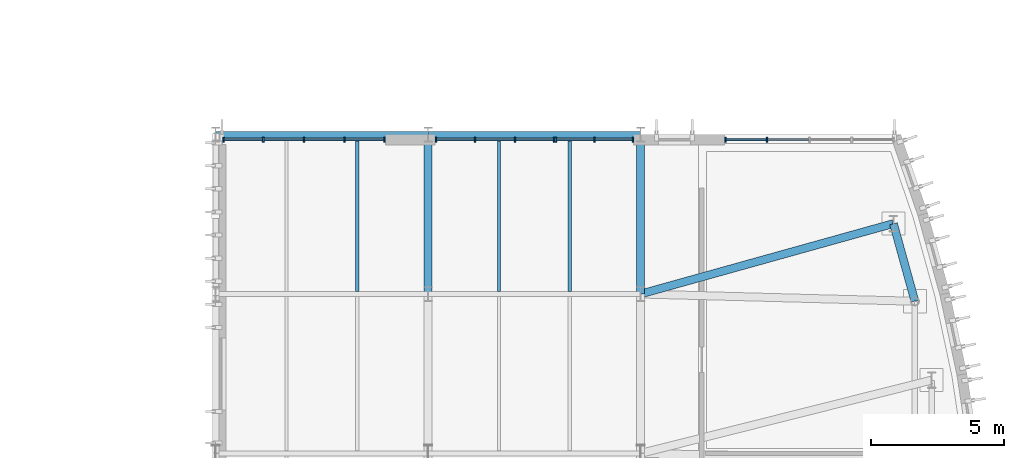
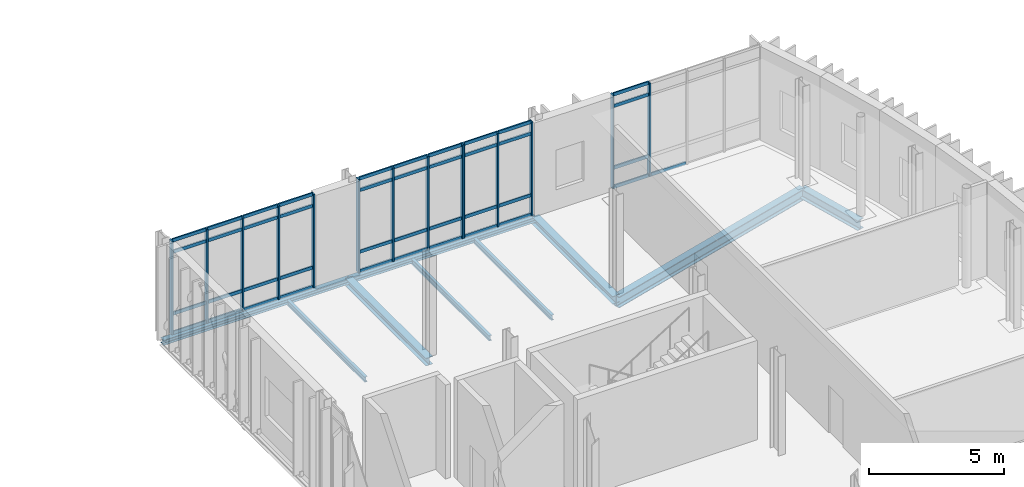
# One storey, part 45 of 100: 55 members, 9 beams, 4 elements without a shape of their own.
"""IFC4 building model written with IfcOpenShell, lengths in metres."""

from ifc_helpers import new_model, si_unit, direction, frame, origin, origin_2d, place, context, subcontext, project, spatial, rectangle, i_section, extrude, material, material_profile, profile_set, type_object, element, aggregate, save


model = new_model("IFC4")

# Units and contexts
model_context = context("Model", 3, precision=1e-05, world=origin(), true_north=direction((0.0, 1.0)))
body_context = subcontext(model_context, "Body", "Model", "MODEL_VIEW")
ifc_project = project(units=[si_unit("LENGTHUNIT", "METRE"), si_unit("AREAUNIT", "SQUARE_METRE"), si_unit("VOLUMEUNIT", "CUBIC_METRE"), si_unit("PLANEANGLEUNIT", "RADIAN"), si_unit("MASSUNIT", "GRAM", prefix="KILO")], contexts=[model_context])

# Site, building, storey
site_placement = place(None, origin())
site = spatial("IfcSite", under=ifc_project, at=site_placement, CompositionType="ELEMENT")
building_placement = place(site_placement, origin())
building = spatial("IfcBuilding", under=site, at=building_placement, Name="Cymarion Research Institute", CompositionType="ELEMENT")
storey_placement = place(building_placement, frame((0.0, 0.0, 4.800048828125)))
storey = spatial("IfcBuildingStorey", under=building, at=storey_placement, Name="L01", CompositionType="ELEMENT", Elevation=4.800048828125)

# Curtain wall, members
ifc_material_1 = material(Name="Anodised aluminium unitised curtain wall with Low-E glazing", Category="aluminium")
curtain_wall_type_1 = type_object("IfcCurtainWallType", Name="UNITISED CURTAIN WALL CW02 6390X4250", PredefinedType="NOTDEFINED", material=ifc_material_1)
curtain_wall_1_placement = place(storey_placement, origin())
curtain_wall_1 = element("IfcCurtainWall", 1, at=curtain_wall_1_placement, inside=storey, type_object=curtain_wall_type_1, Name="L01 V1 unitised curtain wall CW02 #8", PredefinedType="NOTDEFINED")
ifc_material_2 = material(Name="Anodised aluminium framing", Category="aluminium")
ifc_material_profile_1 = material_profile(ifc_material_2, rectangle(XDim=0.06005859375, YDim=0.179931640625, at=origin_2d()), Name="ALU MULLION 60x180")
ifc_profile_set_1 = profile_set([ifc_material_profile_1], Name="Anodised aluminium framing")
member_type_1 = type_object("IfcMemberType", Name="CURTAIN WALL MULLION ML01 60X180", PredefinedType="MULLION", material=ifc_profile_set_1)
member_1_placement = place(storey_placement, frame((159.3564453125, 41.31005859375, 0.0), z_axis=(0.0, 0.0, 1.0), x_axis=(-1.0, 0.0, 0.0)))
member_1 = element("IfcMember", 2, at=member_1_placement, type_object=member_type_1, Name="CW02 mullion 4", PredefinedType="MULLION", context=body_context, shape_type="SweptSolid", body=[
    extrude(rectangle(XDim=0.06005859375, YDim=0.179931640625, at=origin_2d()), origin(), (0.0, 0.0, 1.0), 4.25),
])
member_2_placement = place(storey_placement, frame((157.789794921875, 41.31005859375, 0.0), z_axis=(0.0, 0.0, 1.0), x_axis=(-1.0, 0.0, 0.0)))
member_2 = element("IfcMember", 3, at=member_2_placement, type_object=member_type_1, Name="CW02 mullion 5", PredefinedType="MULLION", context=body_context, shape_type="SweptSolid", body=[
    extrude(rectangle(XDim=0.06005859375, YDim=0.179931640625, at=origin_2d()), origin(), (0.0, 0.0, 1.0), 4.25),
])

curtain_wall_type_2 = type_object("IfcCurtainWallType", Name="UNITISED CURTAIN WALL CW03 2970X4250", PredefinedType="NOTDEFINED", material=ifc_material_1)
curtain_wall_2_placement = place(storey_placement, origin())
curtain_wall_2 = element("IfcCurtainWall", 4, at=curtain_wall_2_placement, inside=storey, type_object=curtain_wall_type_2, Name="L01 V1 unitised curtain wall CW03 #9", PredefinedType="NOTDEFINED")
member_3_placement = place(storey_placement, frame((154.31005859375, 41.31005859375, 0.0), z_axis=(0.0, 0.0, 1.0), x_axis=(-1.0, 0.0, 0.0)))
member_3 = element("IfcMember", 5, at=member_3_placement, type_object=member_type_1, Name="CW03 mullion 1", PredefinedType="MULLION", context=body_context, shape_type="SweptSolid", body=[
    extrude(rectangle(XDim=0.06005859375, YDim=0.179931640625, at=origin_2d()), origin(), (0.0, 0.0, 1.0), 4.25),
])
member_4_placement = place(storey_placement, frame((152.856689453125, 41.31005859375, 0.0), z_axis=(0.0, 0.0, 1.0), x_axis=(-1.0, 0.0, 0.0)))
member_4 = element("IfcMember", 6, at=member_4_placement, type_object=member_type_1, Name="CW03 mullion 2", PredefinedType="MULLION", context=body_context, shape_type="SweptSolid", body=[
    extrude(rectangle(XDim=0.06005859375, YDim=0.179931640625, at=origin_2d()), origin(), (0.0, 0.0, 1.0), 4.25),
])
member_5_placement = place(storey_placement, frame((151.4033203125, 41.31005859375, 0.0), z_axis=(0.0, 0.0, 1.0), x_axis=(-1.0, 0.0, 0.0)))
member_5 = element("IfcMember", 7, at=member_5_placement, type_object=member_type_1, Name="CW03 mullion 3", PredefinedType="MULLION", context=body_context, shape_type="SweptSolid", body=[
    extrude(rectangle(XDim=0.06005859375, YDim=0.179931640625, at=origin_2d()), origin(), (0.0, 0.0, 1.0), 4.25),
])

curtain_wall_type_3 = type_object("IfcCurtainWallType", Name="UNITISED CURTAIN WALL CW04 4510X4250", PredefinedType="NOTDEFINED", material=ifc_material_1)
curtain_wall_3_placement = place(storey_placement, origin())
curtain_wall_3 = element("IfcCurtainWall", 8, at=curtain_wall_3_placement, inside=storey, type_object=curtain_wall_type_3, Name="L01 V1 unitised curtain wall CW04 #10", PredefinedType="NOTDEFINED")
member_6_placement = place(storey_placement, frame((151.34326171875, 41.31005859375, 0.0), z_axis=(0.0, 0.0, 1.0), x_axis=(-1.0, 0.0, 0.0)))
member_6 = element("IfcMember", 9, at=member_6_placement, type_object=member_type_1, Name="CW04 mullion 1", PredefinedType="MULLION", context=body_context, shape_type="SweptSolid", body=[
    extrude(rectangle(XDim=0.06005859375, YDim=0.179931640625, at=origin_2d()), origin(), (0.0, 0.0, 1.0), 4.25),
])
member_7_placement = place(storey_placement, frame((149.868896484375, 41.31005859375, 0.0), z_axis=(0.0, 0.0, 1.0), x_axis=(-1.0, 0.0, 0.0)))
member_7 = element("IfcMember", 10, at=member_7_placement, type_object=member_type_1, Name="CW04 mullion 2", PredefinedType="MULLION", context=body_context, shape_type="SweptSolid", body=[
    extrude(rectangle(XDim=0.06005859375, YDim=0.179931640625, at=origin_2d()), origin(), (0.0, 0.0, 1.0), 4.25),
])
member_8_placement = place(storey_placement, frame((148.364501953125, 41.31005859375, 0.0), z_axis=(0.0, 0.0, 1.0), x_axis=(-1.0, 0.0, 0.0)))
member_8 = element("IfcMember", 11, at=member_8_placement, type_object=member_type_1, Name="CW04 mullion 3", PredefinedType="MULLION", context=body_context, shape_type="SweptSolid", body=[
    extrude(rectangle(XDim=0.06005859375, YDim=0.179931640625, at=origin_2d()), origin(), (0.0, 0.0, 1.0), 4.25),
])
member_9_placement = place(storey_placement, frame((146.889892578125, 41.31005859375, 0.0), z_axis=(0.0, 0.0, 1.0), x_axis=(-1.0, 0.0, 0.0)))
member_9 = element("IfcMember", 12, at=member_9_placement, type_object=member_type_1, Name="CW04 mullion 4", PredefinedType="MULLION", context=body_context, shape_type="SweptSolid", body=[
    extrude(rectangle(XDim=0.06005859375, YDim=0.179931640625, at=origin_2d()), origin(), (0.0, 0.0, 1.0), 4.25),
])

curtain_wall_type_4 = type_object("IfcCurtainWallType", Name="UNITISED CURTAIN WALL CW05 6130X4250", PredefinedType="NOTDEFINED", material=ifc_material_1)
curtain_wall_4_placement = place(storey_placement, origin())
curtain_wall_4 = element("IfcCurtainWall", 13, at=curtain_wall_4_placement, inside=storey, type_object=curtain_wall_type_4, Name="L01 V1 unitised curtain wall CW05 #11", PredefinedType="NOTDEFINED")
member_10_placement = place(storey_placement, frame((144.95654296875, 41.31005859375, 0.0), z_axis=(0.0, 0.0, 1.0), x_axis=(-1.0, 0.0, 0.0)))
member_10 = element("IfcMember", 14, at=member_10_placement, type_object=member_type_1, Name="CW05 mullion 1", PredefinedType="MULLION", context=body_context, shape_type="SweptSolid", body=[
    extrude(rectangle(XDim=0.06005859375, YDim=0.179931640625, at=origin_2d()), origin(), (0.0, 0.0, 1.0), 4.25),
])
member_11_placement = place(storey_placement, frame((143.454833984375, 41.31005859375, 0.0), z_axis=(0.0, 0.0, 1.0), x_axis=(-1.0, 0.0, 0.0)))
member_11 = element("IfcMember", 15, at=member_11_placement, type_object=member_type_1, Name="CW05 mullion 2", PredefinedType="MULLION", context=body_context, shape_type="SweptSolid", body=[
    extrude(rectangle(XDim=0.06005859375, YDim=0.179931640625, at=origin_2d()), origin(), (0.0, 0.0, 1.0), 4.25),
])
member_12_placement = place(storey_placement, frame((141.92333984375, 41.31005859375, 0.0), z_axis=(0.0, 0.0, 1.0), x_axis=(-1.0, 0.0, 0.0)))
member_12 = element("IfcMember", 16, at=member_12_placement, type_object=member_type_1, Name="CW05 mullion 3", PredefinedType="MULLION", context=body_context, shape_type="SweptSolid", body=[
    extrude(rectangle(XDim=0.06005859375, YDim=0.179931640625, at=origin_2d()), origin(), (0.0, 0.0, 1.0), 4.25),
])
member_13_placement = place(storey_placement, frame((140.3916015625, 41.31005859375, 0.0), z_axis=(0.0, 0.0, 1.0), x_axis=(-1.0, 0.0, 0.0)))
member_13 = element("IfcMember", 17, at=member_13_placement, type_object=member_type_1, Name="CW05 mullion 4", PredefinedType="MULLION", context=body_context, shape_type="SweptSolid", body=[
    extrude(rectangle(XDim=0.06005859375, YDim=0.179931640625, at=origin_2d()), origin(), (0.0, 0.0, 1.0), 4.25),
])
member_14_placement = place(storey_placement, frame((138.889892578125, 41.31005859375, 0.0), z_axis=(0.0, 0.0, 1.0), x_axis=(-1.0, 0.0, 0.0)))
member_14 = element("IfcMember", 18, at=member_14_placement, type_object=member_type_1, Name="CW05 mullion 5", PredefinedType="MULLION", context=body_context, shape_type="SweptSolid", body=[
    extrude(rectangle(XDim=0.06005859375, YDim=0.179931640625, at=origin_2d()), origin(), (0.0, 0.0, 1.0), 4.25),
])

# Member
ifc_material_profile_2 = material_profile(ifc_material_2, rectangle(XDim=0.06005859375, YDim=0.14990234375, at=origin_2d()), Name="ALU TRANSOM 60x150")
ifc_profile_set_2 = profile_set([ifc_material_profile_2], Name="Anodised aluminium framing")
member_type_2 = type_object("IfcMemberType", Name="CURTAIN WALL TRANSOM TR01 60X150", PredefinedType="USERDEFINED", material=ifc_profile_set_2)
member_15_placement = place(storey_placement, frame((160.923095703125, 41.31005859375, 0.030029296875), z_axis=(-1.0, 0.0, 0.0), x_axis=(0.0, -1.0, 0.0)))
member_15 = element("IfcMember", 19, at=member_15_placement, type_object=member_type_2, Name="CW02 transom 3.1", ObjectType="TRANSOM", PredefinedType="USERDEFINED", context=body_context, shape_type="SweptSolid", body=[
    extrude(rectangle(XDim=0.06005859375, YDim=0.14990234375, at=origin_2d()), origin(), (0.0, 0.0, 1.0), 1.53662109375),
])

member_16_placement = place(storey_placement, frame((159.326416015625, 41.31005859375, 0.030029296875), z_axis=(-1.0, 0.0, 0.0), x_axis=(0.0, -1.0, 0.0)))
member_16 = element("IfcMember", 20, at=member_16_placement, type_object=member_type_2, Name="CW02 transom 4.1", ObjectType="TRANSOM", PredefinedType="USERDEFINED", context=body_context, shape_type="SweptSolid", body=[
    extrude(rectangle(XDim=0.06005859375, YDim=0.14990234375, at=origin_2d()), origin(), (0.0, 0.0, 1.0), 1.506591796875),
])

member_17_placement = place(storey_placement, frame((159.326416015625, 41.31005859375, 0.89990234375), z_axis=(-1.0, 0.0, 0.0), x_axis=(0.0, -1.0, 0.0)))
member_17 = element("IfcMember", 21, at=member_17_placement, type_object=member_type_2, Name="CW02 transom 4.2", ObjectType="TRANSOM", PredefinedType="USERDEFINED", context=body_context, shape_type="SweptSolid", body=[
    extrude(rectangle(XDim=0.06005859375, YDim=0.14990234375, at=origin_2d()), origin(), (0.0, 0.0, 1.0), 1.506591796875),
])

member_18_placement = place(storey_placement, frame((159.326416015625, 41.31005859375, 3.699951171875), z_axis=(-1.0, 0.0, 0.0), x_axis=(0.0, -1.0, 0.0)))
member_18 = element("IfcMember", 22, at=member_18_placement, type_object=member_type_2, Name="CW02 transom 4.3", ObjectType="TRANSOM", PredefinedType="USERDEFINED", context=body_context, shape_type="SweptSolid", body=[
    extrude(rectangle(XDim=0.06005859375, YDim=0.14990234375, at=origin_2d()), origin(), (0.0, 0.0, 1.0), 1.506591796875),
])

member_19_placement = place(storey_placement, frame((159.326416015625, 41.31005859375, 4.219970703125), z_axis=(-1.0, 0.0, 0.0), x_axis=(0.0, -1.0, 0.0)))
member_19 = element("IfcMember", 23, at=member_19_placement, type_object=member_type_2, Name="CW02 transom 4.4", ObjectType="TRANSOM", PredefinedType="USERDEFINED", context=body_context, shape_type="SweptSolid", body=[
    extrude(rectangle(XDim=0.06005859375, YDim=0.14990234375, at=origin_2d()), origin(), (0.0, 0.0, 1.0), 1.506591796875),
])

aggregate(curtain_wall_1, [member_1, member_2, member_15, member_16, member_17, member_18, member_19])

member_20_placement = place(storey_placement, frame((154.280029296875, 41.31005859375, 0.030029296875), z_axis=(-1.0, 0.0, 0.0), x_axis=(0.0, -1.0, 0.0)))
member_20 = element("IfcMember", 24, at=member_20_placement, type_object=member_type_2, Name="CW03 transom 1.1", ObjectType="TRANSOM", PredefinedType="USERDEFINED", context=body_context, shape_type="SweptSolid", body=[
    extrude(rectangle(XDim=0.06005859375, YDim=0.14990234375, at=origin_2d()), origin(), (0.0, 0.0, 1.0), 1.393310546875),
])

member_21_placement = place(storey_placement, frame((154.280029296875, 41.31005859375, 0.89990234375), z_axis=(-1.0, 0.0, 0.0), x_axis=(0.0, -1.0, 0.0)))
member_21 = element("IfcMember", 25, at=member_21_placement, type_object=member_type_2, Name="CW03 transom 1.2", ObjectType="TRANSOM", PredefinedType="USERDEFINED", context=body_context, shape_type="SweptSolid", body=[
    extrude(rectangle(XDim=0.06005859375, YDim=0.14990234375, at=origin_2d()), origin(), (0.0, 0.0, 1.0), 1.393310546875),
])

member_22_placement = place(storey_placement, frame((154.280029296875, 41.31005859375, 3.699951171875), z_axis=(-1.0, 0.0, 0.0), x_axis=(0.0, -1.0, 0.0)))
member_22 = element("IfcMember", 26, at=member_22_placement, type_object=member_type_2, Name="CW03 transom 1.3", ObjectType="TRANSOM", PredefinedType="USERDEFINED", context=body_context, shape_type="SweptSolid", body=[
    extrude(rectangle(XDim=0.06005859375, YDim=0.14990234375, at=origin_2d()), origin(), (0.0, 0.0, 1.0), 1.393310546875),
])

member_23_placement = place(storey_placement, frame((154.280029296875, 41.31005859375, 4.219970703125), z_axis=(-1.0, 0.0, 0.0), x_axis=(0.0, -1.0, 0.0)))
member_23 = element("IfcMember", 27, at=member_23_placement, type_object=member_type_2, Name="CW03 transom 1.4", ObjectType="TRANSOM", PredefinedType="USERDEFINED", context=body_context, shape_type="SweptSolid", body=[
    extrude(rectangle(XDim=0.06005859375, YDim=0.14990234375, at=origin_2d()), origin(), (0.0, 0.0, 1.0), 1.393310546875),
])

member_24_placement = place(storey_placement, frame((152.82666015625, 41.31005859375, 0.030029296875), z_axis=(-1.0, 0.0, 0.0), x_axis=(0.0, -1.0, 0.0)))
member_24 = element("IfcMember", 28, at=member_24_placement, type_object=member_type_2, Name="CW03 transom 2.1", ObjectType="TRANSOM", PredefinedType="USERDEFINED", context=body_context, shape_type="SweptSolid", body=[
    extrude(rectangle(XDim=0.06005859375, YDim=0.14990234375, at=origin_2d()), origin(), (0.0, 0.0, 1.0), 1.3935546875),
])

member_25_placement = place(storey_placement, frame((152.82666015625, 41.31005859375, 0.89990234375), z_axis=(-1.0, 0.0, 0.0), x_axis=(0.0, -1.0, 0.0)))
member_25 = element("IfcMember", 29, at=member_25_placement, type_object=member_type_2, Name="CW03 transom 2.2", ObjectType="TRANSOM", PredefinedType="USERDEFINED", context=body_context, shape_type="SweptSolid", body=[
    extrude(rectangle(XDim=0.06005859375, YDim=0.14990234375, at=origin_2d()), origin(), (0.0, 0.0, 1.0), 1.3935546875),
])

member_26_placement = place(storey_placement, frame((152.82666015625, 41.31005859375, 3.699951171875), z_axis=(-1.0, 0.0, 0.0), x_axis=(0.0, -1.0, 0.0)))
member_26 = element("IfcMember", 30, at=member_26_placement, type_object=member_type_2, Name="CW03 transom 2.3", ObjectType="TRANSOM", PredefinedType="USERDEFINED", context=body_context, shape_type="SweptSolid", body=[
    extrude(rectangle(XDim=0.06005859375, YDim=0.14990234375, at=origin_2d()), origin(), (0.0, 0.0, 1.0), 1.3935546875),
])

member_27_placement = place(storey_placement, frame((152.82666015625, 41.31005859375, 4.219970703125), z_axis=(-1.0, 0.0, 0.0), x_axis=(0.0, -1.0, 0.0)))
member_27 = element("IfcMember", 31, at=member_27_placement, type_object=member_type_2, Name="CW03 transom 2.4", ObjectType="TRANSOM", PredefinedType="USERDEFINED", context=body_context, shape_type="SweptSolid", body=[
    extrude(rectangle(XDim=0.06005859375, YDim=0.14990234375, at=origin_2d()), origin(), (0.0, 0.0, 1.0), 1.3935546875),
])

aggregate(curtain_wall_2, [member_3, member_4, member_5, member_20, member_21, member_22, member_23, member_24, member_25, member_26, member_27])

member_28_placement = place(storey_placement, frame((151.313232421875, 41.31005859375, 0.030029296875), z_axis=(-1.0, 0.0, 0.0), x_axis=(0.0, -1.0, 0.0)))
member_28 = element("IfcMember", 32, at=member_28_placement, type_object=member_type_2, Name="CW04 transom 1.1", ObjectType="TRANSOM", PredefinedType="USERDEFINED", context=body_context, shape_type="SweptSolid", body=[
    extrude(rectangle(XDim=0.06005859375, YDim=0.14990234375, at=origin_2d()), origin(), (0.0, 0.0, 1.0), 1.41455078125),
])

member_29_placement = place(storey_placement, frame((151.313232421875, 41.31005859375, 0.89990234375), z_axis=(-1.0, 0.0, 0.0), x_axis=(0.0, -1.0, 0.0)))
member_29 = element("IfcMember", 33, at=member_29_placement, type_object=member_type_2, Name="CW04 transom 1.2", ObjectType="TRANSOM", PredefinedType="USERDEFINED", context=body_context, shape_type="SweptSolid", body=[
    extrude(rectangle(XDim=0.06005859375, YDim=0.14990234375, at=origin_2d()), origin(), (0.0, 0.0, 1.0), 1.41455078125),
])

member_30_placement = place(storey_placement, frame((151.313232421875, 41.31005859375, 3.699951171875), z_axis=(-1.0, 0.0, 0.0), x_axis=(0.0, -1.0, 0.0)))
member_30 = element("IfcMember", 34, at=member_30_placement, type_object=member_type_2, Name="CW04 transom 1.3", ObjectType="TRANSOM", PredefinedType="USERDEFINED", context=body_context, shape_type="SweptSolid", body=[
    extrude(rectangle(XDim=0.06005859375, YDim=0.14990234375, at=origin_2d()), origin(), (0.0, 0.0, 1.0), 1.41455078125),
])

member_31_placement = place(storey_placement, frame((151.313232421875, 41.31005859375, 4.219970703125), z_axis=(-1.0, 0.0, 0.0), x_axis=(0.0, -1.0, 0.0)))
member_31 = element("IfcMember", 35, at=member_31_placement, type_object=member_type_2, Name="CW04 transom 1.4", ObjectType="TRANSOM", PredefinedType="USERDEFINED", context=body_context, shape_type="SweptSolid", body=[
    extrude(rectangle(XDim=0.06005859375, YDim=0.14990234375, at=origin_2d()), origin(), (0.0, 0.0, 1.0), 1.41455078125),
])

member_32_placement = place(storey_placement, frame((149.8388671875, 41.31005859375, 0.030029296875), z_axis=(-1.0, 0.0, 0.0), x_axis=(0.0, -1.0, 0.0)))
member_32 = element("IfcMember", 36, at=member_32_placement, type_object=member_type_2, Name="CW04 transom 2.1", ObjectType="TRANSOM", PredefinedType="USERDEFINED", context=body_context, shape_type="SweptSolid", body=[
    extrude(rectangle(XDim=0.06005859375, YDim=0.14990234375, at=origin_2d()), origin(), (0.0, 0.0, 1.0), 1.444580078125),
])

member_33_placement = place(storey_placement, frame((149.8388671875, 41.31005859375, 0.89990234375), z_axis=(-1.0, 0.0, 0.0), x_axis=(0.0, -1.0, 0.0)))
member_33 = element("IfcMember", 37, at=member_33_placement, type_object=member_type_2, Name="CW04 transom 2.2", ObjectType="TRANSOM", PredefinedType="USERDEFINED", context=body_context, shape_type="SweptSolid", body=[
    extrude(rectangle(XDim=0.06005859375, YDim=0.14990234375, at=origin_2d()), origin(), (0.0, 0.0, 1.0), 1.444580078125),
])

member_34_placement = place(storey_placement, frame((149.8388671875, 41.31005859375, 3.699951171875), z_axis=(-1.0, 0.0, 0.0), x_axis=(0.0, -1.0, 0.0)))
member_34 = element("IfcMember", 38, at=member_34_placement, type_object=member_type_2, Name="CW04 transom 2.3", ObjectType="TRANSOM", PredefinedType="USERDEFINED", context=body_context, shape_type="SweptSolid", body=[
    extrude(rectangle(XDim=0.06005859375, YDim=0.14990234375, at=origin_2d()), origin(), (0.0, 0.0, 1.0), 1.444580078125),
])

member_35_placement = place(storey_placement, frame((149.8388671875, 41.31005859375, 4.219970703125), z_axis=(-1.0, 0.0, 0.0), x_axis=(0.0, -1.0, 0.0)))
member_35 = element("IfcMember", 39, at=member_35_placement, type_object=member_type_2, Name="CW04 transom 2.4", ObjectType="TRANSOM", PredefinedType="USERDEFINED", context=body_context, shape_type="SweptSolid", body=[
    extrude(rectangle(XDim=0.06005859375, YDim=0.14990234375, at=origin_2d()), origin(), (0.0, 0.0, 1.0), 1.444580078125),
])

member_36_placement = place(storey_placement, frame((148.33447265625, 41.31005859375, 0.030029296875), z_axis=(-1.0, 0.0, 0.0), x_axis=(0.0, -1.0, 0.0)))
member_36 = element("IfcMember", 40, at=member_36_placement, type_object=member_type_2, Name="CW04 transom 3.1", ObjectType="TRANSOM", PredefinedType="USERDEFINED", context=body_context, shape_type="SweptSolid", body=[
    extrude(rectangle(XDim=0.06005859375, YDim=0.14990234375, at=origin_2d()), origin(), (0.0, 0.0, 1.0), 1.41455078125),
])

member_37_placement = place(storey_placement, frame((148.33447265625, 41.31005859375, 0.89990234375), z_axis=(-1.0, 0.0, 0.0), x_axis=(0.0, -1.0, 0.0)))
member_37 = element("IfcMember", 41, at=member_37_placement, type_object=member_type_2, Name="CW04 transom 3.2", ObjectType="TRANSOM", PredefinedType="USERDEFINED", context=body_context, shape_type="SweptSolid", body=[
    extrude(rectangle(XDim=0.06005859375, YDim=0.14990234375, at=origin_2d()), origin(), (0.0, 0.0, 1.0), 1.41455078125),
])

member_38_placement = place(storey_placement, frame((148.33447265625, 41.31005859375, 3.699951171875), z_axis=(-1.0, 0.0, 0.0), x_axis=(0.0, -1.0, 0.0)))
member_38 = element("IfcMember", 42, at=member_38_placement, type_object=member_type_2, Name="CW04 transom 3.3", ObjectType="TRANSOM", PredefinedType="USERDEFINED", context=body_context, shape_type="SweptSolid", body=[
    extrude(rectangle(XDim=0.06005859375, YDim=0.14990234375, at=origin_2d()), origin(), (0.0, 0.0, 1.0), 1.41455078125),
])

member_39_placement = place(storey_placement, frame((148.33447265625, 41.31005859375, 4.219970703125), z_axis=(-1.0, 0.0, 0.0), x_axis=(0.0, -1.0, 0.0)))
member_39 = element("IfcMember", 43, at=member_39_placement, type_object=member_type_2, Name="CW04 transom 3.4", ObjectType="TRANSOM", PredefinedType="USERDEFINED", context=body_context, shape_type="SweptSolid", body=[
    extrude(rectangle(XDim=0.06005859375, YDim=0.14990234375, at=origin_2d()), origin(), (0.0, 0.0, 1.0), 1.41455078125),
])

aggregate(curtain_wall_3, [member_6, member_7, member_8, member_9, member_28, member_29, member_30, member_31, member_32, member_33, member_34, member_35, member_36, member_37, member_38, member_39])

member_40_placement = place(storey_placement, frame((144.926513671875, 41.31005859375, 0.030029296875), z_axis=(-1.0, 0.0, 0.0), x_axis=(0.0, -1.0, 0.0)))
member_40 = element("IfcMember", 44, at=member_40_placement, type_object=member_type_2, Name="CW05 transom 1.1", ObjectType="TRANSOM", PredefinedType="USERDEFINED", context=body_context, shape_type="SweptSolid", body=[
    extrude(rectangle(XDim=0.06005859375, YDim=0.14990234375, at=origin_2d()), origin(), (0.0, 0.0, 1.0), 1.441650390625),
])

member_41_placement = place(storey_placement, frame((144.926513671875, 41.31005859375, 0.89990234375), z_axis=(-1.0, 0.0, 0.0), x_axis=(0.0, -1.0, 0.0)))
member_41 = element("IfcMember", 45, at=member_41_placement, type_object=member_type_2, Name="CW05 transom 1.2", ObjectType="TRANSOM", PredefinedType="USERDEFINED", context=body_context, shape_type="SweptSolid", body=[
    extrude(rectangle(XDim=0.06005859375, YDim=0.14990234375, at=origin_2d()), origin(), (0.0, 0.0, 1.0), 1.441650390625),
])

member_42_placement = place(storey_placement, frame((144.926513671875, 41.31005859375, 3.699951171875), z_axis=(-1.0, 0.0, 0.0), x_axis=(0.0, -1.0, 0.0)))
member_42 = element("IfcMember", 46, at=member_42_placement, type_object=member_type_2, Name="CW05 transom 1.3", ObjectType="TRANSOM", PredefinedType="USERDEFINED", context=body_context, shape_type="SweptSolid", body=[
    extrude(rectangle(XDim=0.06005859375, YDim=0.14990234375, at=origin_2d()), origin(), (0.0, 0.0, 1.0), 1.441650390625),
])

member_43_placement = place(storey_placement, frame((144.926513671875, 41.31005859375, 4.219970703125), z_axis=(-1.0, 0.0, 0.0), x_axis=(0.0, -1.0, 0.0)))
member_43 = element("IfcMember", 47, at=member_43_placement, type_object=member_type_2, Name="CW05 transom 1.4", ObjectType="TRANSOM", PredefinedType="USERDEFINED", context=body_context, shape_type="SweptSolid", body=[
    extrude(rectangle(XDim=0.06005859375, YDim=0.14990234375, at=origin_2d()), origin(), (0.0, 0.0, 1.0), 1.441650390625),
])

member_44_placement = place(storey_placement, frame((143.425048828125, 41.31005859375, 0.030029296875), z_axis=(-1.0, 0.0, 0.0), x_axis=(0.0, -1.0, 0.0)))
member_44 = element("IfcMember", 48, at=member_44_placement, type_object=member_type_2, Name="CW05 transom 2.1", ObjectType="TRANSOM", PredefinedType="USERDEFINED", context=body_context, shape_type="SweptSolid", body=[
    extrude(rectangle(XDim=0.06005859375, YDim=0.14990234375, at=origin_2d()), origin(), (0.0, 0.0, 1.0), 1.4716796875),
])

member_45_placement = place(storey_placement, frame((143.425048828125, 41.31005859375, 0.89990234375), z_axis=(-1.0, 0.0, 0.0), x_axis=(0.0, -1.0, 0.0)))
member_45 = element("IfcMember", 49, at=member_45_placement, type_object=member_type_2, Name="CW05 transom 2.2", ObjectType="TRANSOM", PredefinedType="USERDEFINED", context=body_context, shape_type="SweptSolid", body=[
    extrude(rectangle(XDim=0.06005859375, YDim=0.14990234375, at=origin_2d()), origin(), (0.0, 0.0, 1.0), 1.4716796875),
])

member_46_placement = place(storey_placement, frame((143.425048828125, 41.31005859375, 3.699951171875), z_axis=(-1.0, 0.0, 0.0), x_axis=(0.0, -1.0, 0.0)))
member_46 = element("IfcMember", 50, at=member_46_placement, type_object=member_type_2, Name="CW05 transom 2.3", ObjectType="TRANSOM", PredefinedType="USERDEFINED", context=body_context, shape_type="SweptSolid", body=[
    extrude(rectangle(XDim=0.06005859375, YDim=0.14990234375, at=origin_2d()), origin(), (0.0, 0.0, 1.0), 1.4716796875),
])

member_47_placement = place(storey_placement, frame((143.425048828125, 41.31005859375, 4.219970703125), z_axis=(-1.0, 0.0, 0.0), x_axis=(0.0, -1.0, 0.0)))
member_47 = element("IfcMember", 51, at=member_47_placement, type_object=member_type_2, Name="CW05 transom 2.4", ObjectType="TRANSOM", PredefinedType="USERDEFINED", context=body_context, shape_type="SweptSolid", body=[
    extrude(rectangle(XDim=0.06005859375, YDim=0.14990234375, at=origin_2d()), origin(), (0.0, 0.0, 1.0), 1.4716796875),
])

member_48_placement = place(storey_placement, frame((141.893310546875, 41.31005859375, 0.030029296875), z_axis=(-1.0, 0.0, 0.0), x_axis=(0.0, -1.0, 0.0)))
member_48 = element("IfcMember", 52, at=member_48_placement, type_object=member_type_2, Name="CW05 transom 3.1", ObjectType="TRANSOM", PredefinedType="USERDEFINED", context=body_context, shape_type="SweptSolid", body=[
    extrude(rectangle(XDim=0.06005859375, YDim=0.14990234375, at=origin_2d()), origin(), (0.0, 0.0, 1.0), 1.4716796875),
])

member_49_placement = place(storey_placement, frame((141.893310546875, 41.31005859375, 0.89990234375), z_axis=(-1.0, 0.0, 0.0), x_axis=(0.0, -1.0, 0.0)))
member_49 = element("IfcMember", 53, at=member_49_placement, type_object=member_type_2, Name="CW05 transom 3.2", ObjectType="TRANSOM", PredefinedType="USERDEFINED", context=body_context, shape_type="SweptSolid", body=[
    extrude(rectangle(XDim=0.06005859375, YDim=0.14990234375, at=origin_2d()), origin(), (0.0, 0.0, 1.0), 1.4716796875),
])

member_50_placement = place(storey_placement, frame((141.893310546875, 41.31005859375, 3.699951171875), z_axis=(-1.0, 0.0, 0.0), x_axis=(0.0, -1.0, 0.0)))
member_50 = element("IfcMember", 54, at=member_50_placement, type_object=member_type_2, Name="CW05 transom 3.3", ObjectType="TRANSOM", PredefinedType="USERDEFINED", context=body_context, shape_type="SweptSolid", body=[
    extrude(rectangle(XDim=0.06005859375, YDim=0.14990234375, at=origin_2d()), origin(), (0.0, 0.0, 1.0), 1.4716796875),
])

member_51_placement = place(storey_placement, frame((141.893310546875, 41.31005859375, 4.219970703125), z_axis=(-1.0, 0.0, 0.0), x_axis=(0.0, -1.0, 0.0)))
member_51 = element("IfcMember", 55, at=member_51_placement, type_object=member_type_2, Name="CW05 transom 3.4", ObjectType="TRANSOM", PredefinedType="USERDEFINED", context=body_context, shape_type="SweptSolid", body=[
    extrude(rectangle(XDim=0.06005859375, YDim=0.14990234375, at=origin_2d()), origin(), (0.0, 0.0, 1.0), 1.4716796875),
])

member_52_placement = place(storey_placement, frame((140.361572265625, 41.31005859375, 0.030029296875), z_axis=(-1.0, 0.0, 0.0), x_axis=(0.0, -1.0, 0.0)))
member_52 = element("IfcMember", 56, at=member_52_placement, type_object=member_type_2, Name="CW05 transom 4.1", ObjectType="TRANSOM", PredefinedType="USERDEFINED", context=body_context, shape_type="SweptSolid", body=[
    extrude(rectangle(XDim=0.06005859375, YDim=0.14990234375, at=origin_2d()), origin(), (0.0, 0.0, 1.0), 1.441650390625),
])

member_53_placement = place(storey_placement, frame((140.361572265625, 41.31005859375, 0.89990234375), z_axis=(-1.0, 0.0, 0.0), x_axis=(0.0, -1.0, 0.0)))
member_53 = element("IfcMember", 57, at=member_53_placement, type_object=member_type_2, Name="CW05 transom 4.2", ObjectType="TRANSOM", PredefinedType="USERDEFINED", context=body_context, shape_type="SweptSolid", body=[
    extrude(rectangle(XDim=0.06005859375, YDim=0.14990234375, at=origin_2d()), origin(), (0.0, 0.0, 1.0), 1.441650390625),
])

member_54_placement = place(storey_placement, frame((140.361572265625, 41.31005859375, 3.699951171875), z_axis=(-1.0, 0.0, 0.0), x_axis=(0.0, -1.0, 0.0)))
member_54 = element("IfcMember", 58, at=member_54_placement, type_object=member_type_2, Name="CW05 transom 4.3", ObjectType="TRANSOM", PredefinedType="USERDEFINED", context=body_context, shape_type="SweptSolid", body=[
    extrude(rectangle(XDim=0.06005859375, YDim=0.14990234375, at=origin_2d()), origin(), (0.0, 0.0, 1.0), 1.441650390625),
])

member_55_placement = place(storey_placement, frame((140.361572265625, 41.31005859375, 4.219970703125), z_axis=(-1.0, 0.0, 0.0), x_axis=(0.0, -1.0, 0.0)))
member_55 = element("IfcMember", 59, at=member_55_placement, type_object=member_type_2, Name="CW05 transom 4.4", ObjectType="TRANSOM", PredefinedType="USERDEFINED", context=body_context, shape_type="SweptSolid", body=[
    extrude(rectangle(XDim=0.06005859375, YDim=0.14990234375, at=origin_2d()), origin(), (0.0, 0.0, 1.0), 1.441650390625),
])

aggregate(curtain_wall_4, [member_10, member_11, member_12, member_13, member_14, member_40, member_41, member_42, member_43, member_44, member_45, member_46, member_47, member_48, member_49, member_50, member_51, member_52, member_53, member_54, member_55])

# Beams
ifc_material_3 = material(Name="Steel S355", Category="steel")
ifc_material_profile_3 = material_profile(ifc_material_3, i_section(OverallWidth=0.300048828125, OverallDepth=0.5, WebThickness=0.014404296875, FlangeThickness=0.028076171875, FilletRadius=0.027099609375, at=origin_2d()), Name="HEB 500")
ifc_profile_set_3 = profile_set([ifc_material_profile_3], Name="Steel S355")
beam_type_1 = type_object("IfcBeamType", Name="PRIMARY GIRDER BM09 HEB 500", PredefinedType="BEAM", material=ifc_profile_set_3)
beam_1_placement = place(storey_placement, frame((154.607666015625, 35.502197265625, -0.5), z_axis=(0.963288176514, 0.26846953084, 0.0), x_axis=(-0.26846953084, 0.963288176514, 0.0)))
element("IfcBeam", 60, at=beam_1_placement, inside=storey, type_object=beam_type_1, Name="L01 V1 radial prow girder BM09 #420", PredefinedType="BEAM", context=body_context, shape_type="SweptSolid", body=[
    extrude(i_section(OverallWidth=0.300048828125, OverallDepth=0.5, WebThickness=0.014404296875, FlangeThickness=0.028076171875, FilletRadius=0.027099609375, at=origin_2d()), origin(), (0.0, 0.0, 1.0), 9.865966796875),
])
ifc_material_profile_4 = material_profile(ifc_material_3, i_section(OverallWidth=0.300048828125, OverallDepth=0.449951171875, WebThickness=0.013916015625, FlangeThickness=0.02587890625, FilletRadius=0.027099609375, at=origin_2d()), Name="HEB 450")
ifc_profile_set_4 = profile_set([ifc_material_profile_4], Name="Steel S355")
beam_type_2 = type_object("IfcBeamType", Name="PRIMARY GIRDER BM10 HEB 450", PredefinedType="BEAM", material=ifc_profile_set_4)
beam_2_placement = place(storey_placement, frame((164.92578125, 35.235107421875, -0.47509765625), z_axis=(-0.266509343606, 0.963832334885, 0.0), x_axis=(-0.963832334885, -0.266509343606, 0.0)))
element("IfcBeam", 61, at=beam_2_placement, inside=storey, type_object=beam_type_2, Name="L01 V1 prow ring girder BM10 #410", PredefinedType="BEAM", context=body_context, shape_type="SweptSolid", body=[
    extrude(i_section(OverallWidth=0.300048828125, OverallDepth=0.449951171875, WebThickness=0.013916015625, FlangeThickness=0.02587890625, FilletRadius=0.027099609375, at=origin_2d()), origin(), (0.0, 0.0, 1.0), 3.019287109375),
])
ifc_material_profile_5 = material_profile(ifc_material_3, i_section(OverallWidth=0.300048828125, OverallDepth=0.35009765625, WebThickness=0.010009765625, FlangeThickness=0.017578125, FilletRadius=0.027099609375, at=origin_2d()), Name="HEA 360")
ifc_profile_set_5 = profile_set([ifc_material_profile_5], Name="Steel S355")
beam_type_3 = type_object("IfcBeamType", Name="PRIMARY GIRDER BM12 HEA 360", PredefinedType="BEAM", material=ifc_profile_set_5)
for number, where, z_axis, x_axis, name in (
    (62, (146.60009765625, 35.506103515625, -0.425048828125), (0.0, 1.0, 0.0), (-1.0, 0.0, 0.0), "L01 V1 girder BM12 #398"),
    (63, (154.60009765625, 35.506103515625, -0.425048828125), (0.0, 1.0, 0.0), (-1.0, 0.0, 0.0), "L01 V1 girder BM12 #403"),
):
    element("IfcBeam", number, at=place(storey_placement, frame(where, z_axis=z_axis, x_axis=x_axis)), inside=storey, type_object=beam_type_3, Name=name, PredefinedType="BEAM", context=body_context, shape_type="SweptSolid", body=[
        extrude(i_section(OverallWidth=0.300048828125, OverallDepth=0.35009765625, WebThickness=0.010009765625, FlangeThickness=0.017578125, FilletRadius=0.027099609375, at=origin_2d()), origin(), (0.0, 0.0, 1.0), 5.98779296875),
    ])
ifc_material_profile_6 = material_profile(ifc_material_3, i_section(OverallWidth=0.1201171875, OverallDepth=0.239990234375, WebThickness=0.006103515625, FlangeThickness=0.009765625, FilletRadius=0.014892578125, at=origin_2d()), Name="IPE 240")
ifc_profile_set_6 = profile_set([ifc_material_profile_6], Name="Steel S355")
beam_type_4 = type_object("IfcBeamType", Name="SECONDARY JOIST JS04 IPE 240", PredefinedType="JOIST", material=ifc_profile_set_6)
for number, where, z_axis, x_axis, name in (
    (64, (143.933349609375, 35.59912109375, -0.3701171875), (0.0, 1.0, 0.0), (-1.0, 0.0, 0.0), "L01 V1 secondary joist JS04 #455"),
    (65, (149.2666015625, 35.59912109375, -0.3701171875), (0.0, 1.0, 0.0), (-1.0, 0.0, 0.0), "L01 V1 secondary joist JS04 #456"),
    (66, (151.933349609375, 35.59912109375, -0.3701171875), (0.0, 1.0, 0.0), (-1.0, 0.0, 0.0), "L01 V1 secondary joist JS04 #457"),
):
    element("IfcBeam", number, at=place(storey_placement, frame(where, z_axis=z_axis, x_axis=x_axis)), inside=storey, type_object=beam_type_4, Name=name, PredefinedType="JOIST", context=body_context, shape_type="SweptSolid", body=[
        extrude(i_section(OverallWidth=0.1201171875, OverallDepth=0.239990234375, WebThickness=0.006103515625, FlangeThickness=0.009765625, FilletRadius=0.014892578125, at=origin_2d()), origin(), (0.0, 0.0, 1.0), 5.77685546875),
    ])
ifc_material_profile_7 = material_profile(ifc_material_3, i_section(OverallWidth=0.239990234375, OverallDepth=0.22998046875, WebThickness=0.007568359375, FlangeThickness=0.011962890625, FilletRadius=0.02099609375, at=origin_2d()), Name="HEA 240")
ifc_profile_set_7 = profile_set([ifc_material_profile_7], Name="Steel S355")
beam_type_5 = type_object("IfcBeamType", Name="SPANDREL BEAM SPB03 HEA 240", PredefinedType="SPANDREL", material=ifc_profile_set_7)
for number, where, z_axis, x_axis, name in (
    (67, (138.60595703125, 41.5, -0.364990234375), (1.0, 0.0, 0.0), (0.0, 1.0, 0.0), "L01 V1 girder SPB03 #374"),
    (68, (146.60595703125, 41.5, -0.364990234375), (1.0, 0.0, 0.0), (0.0, 1.0, 0.0), "L01 V1 girder SPB03 #375"),
):
    element("IfcBeam", number, at=place(storey_placement, frame(where, z_axis=z_axis, x_axis=x_axis)), inside=storey, type_object=beam_type_5, Name=name, PredefinedType="SPANDREL", context=body_context, shape_type="SweptSolid", body=[
        extrude(i_section(OverallWidth=0.239990234375, OverallDepth=0.22998046875, WebThickness=0.007568359375, FlangeThickness=0.011962890625, FilletRadius=0.02099609375, at=origin_2d()), origin(), (0.0, 0.0, 1.0), 7.988037109375),
    ])

save(model, "model.ifc")
